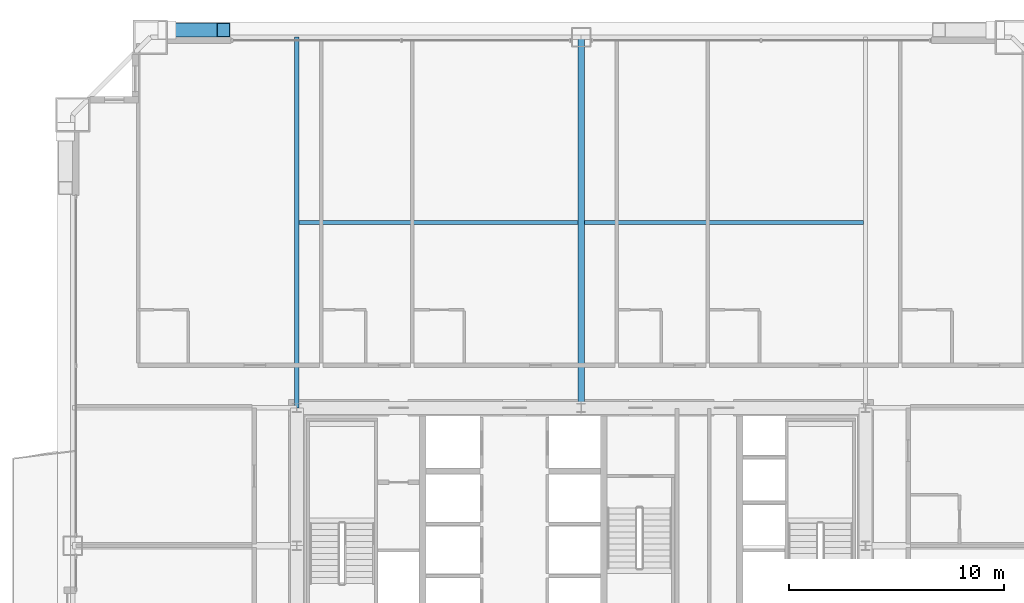
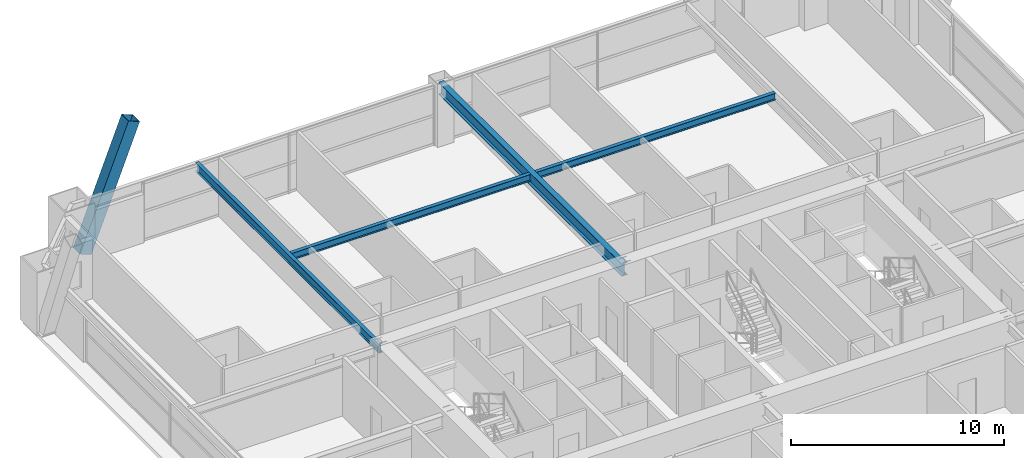
# One storey, part 25 of 42: 4 beams, 1 member.
"""IFC4 building model written with IfcOpenShell, lengths in metres."""

from ifc_helpers import new_model, si_unit, direction, frame, origin, origin_2d, place, context, subcontext, project, spatial, hollow_rectangle, i_section, extrude, source, transform, mapped, material, material_profile, profile_set, type_object, element, save


model = new_model("IFC4")

# Units and contexts
model_context = context("Model", 3, precision=1e-05, world=origin(), true_north=direction((0.0, 1.0)))
body_context = subcontext(model_context, "Body", "Model", "MODEL_VIEW")
ifc_project = project(units=[si_unit("LENGTHUNIT", "METRE"), si_unit("AREAUNIT", "SQUARE_METRE"), si_unit("VOLUMEUNIT", "CUBIC_METRE"), si_unit("PLANEANGLEUNIT", "RADIAN"), si_unit("MASSUNIT", "GRAM", prefix="KILO"), si_unit("THERMODYNAMICTEMPERATUREUNIT", "KELVIN"), si_unit("POWERUNIT", "WATT")], contexts=[model_context])

# Site, building, storey
site_placement = place(None, origin())
site = spatial("IfcSite", under=ifc_project, at=site_placement, CompositionType="ELEMENT")
building_placement = place(site_placement, origin())
building = spatial("IfcBuilding", under=site, at=building_placement, Name="Yuzanri Waterfront Tower", CompositionType="ELEMENT")
storey_placement = place(building_placement, frame((0.0, 0.0, 145.199951171875)))
storey = spatial("IfcBuildingStorey", under=building, at=storey_placement, Name="L38", CompositionType="ELEMENT", Elevation=145.199951171875)

# Beams
ifc_material_1 = material(Name="Steel Q355B", Category="steel")
ifc_material_profile_1 = material_profile(ifc_material_1, i_section(OverallWidth=0.199951171875, OverallDepth=0.39990234375, WebThickness=0.008056640625, FlangeThickness=0.012939453125, at=origin_2d()), Name="HN 400x200x8x13")
ifc_profile_set_1 = profile_set([ifc_material_profile_1], Name="Steel Q355B")
beam_type_1 = type_object("IfcBeamType", Name="Floor Joist Q355B HN 400x200", PredefinedType="JOIST", material=ifc_profile_set_1)
shared_shape_1 = source(origin(), body_context, "Body", "SweptSolid", [
    extrude(i_section(OverallWidth=0.199951171875, OverallDepth=0.39990234375, WebThickness=0.008056640625, FlangeThickness=0.012939453125, at=origin_2d()), origin(), (0.0, 0.0, 1.0), 12.9501953125),
])
for number, where, z_axis, x_axis, name in (
    (1, (23.89990234375, 40.800048828125, 3.179931640625), (1.0, 0.0, 0.0), (0.0, 1.0, 0.0), "L38 North Bay Joist W"),
    (2, (37.14990234375, 40.800048828125, 3.179931640625), (1.0, 0.0, 0.0), (0.0, 1.0, 0.0), "L38 North Bay Joist E"),
):
    element("IfcBeam", number, at=place(storey_placement, frame(where, z_axis=z_axis, x_axis=x_axis)), inside=storey, type_object=beam_type_1, Name=name, PredefinedType="JOIST", context=body_context, shape_type="MappedRepresentation", body=[
        mapped(shared_shape_1, transform((0.0, 0.0, 0.0), scale=1.0)),
    ])
ifc_material_2 = material(Name="Steel Q355B", Category="steel")
ifc_material_profile_2 = material_profile(ifc_material_2, i_section(OverallWidth=0.300048828125, OverallDepth=0.699951171875, WebThickness=0.012939453125, FlangeThickness=0.02392578125, at=origin_2d()), Name="HN 700x300x13x24")
ifc_profile_set_2 = profile_set([ifc_material_profile_2], Name="Steel Q355B")
beam_type_2 = type_object("IfcBeamType", Name="Primary Floor Girder Q355B HN 700x300", PredefinedType="BEAM", material=ifc_profile_set_2)
shared_shape_2 = source(origin(), body_context, "Body", "SweptSolid", [
    extrude(i_section(OverallWidth=0.300048828125, OverallDepth=0.699951171875, WebThickness=0.012939453125, FlangeThickness=0.02392578125, at=origin_2d()), origin(), (0.0, 0.0, 1.0), 17.199951171875),
])
beam_1_placement = place(storey_placement, frame((37.0, 32.199951171875, 3.030029296875), z_axis=(0.0, 1.0, 0.0), x_axis=(-1.0, 0.0, 0.0)))
element("IfcBeam", 3, at=beam_1_placement, inside=storey, type_object=beam_type_2, Name="L38 North Grid Girder", PredefinedType="BEAM", context=body_context, shape_type="MappedRepresentation", body=[
    mapped(shared_shape_2, transform((0.0, 0.0, 0.0), scale=1.0)),
])
ifc_material_3 = material(Name="Steel Q355B", Category="steel")
ifc_material_profile_3 = material_profile(ifc_material_3, i_section(OverallWidth=0.199951171875, OverallDepth=0.5, WebThickness=0.010009765625, FlangeThickness=0.01611328125, at=origin_2d()), Name="HN 500x200x10x16")
ifc_profile_set_3 = profile_set([ifc_material_profile_3], Name="Steel Q355B")
beam_type_3 = type_object("IfcBeamType", Name="Secondary Floor Beam Q355B HN 500x200", PredefinedType="BEAM", material=ifc_profile_set_3)
shared_shape_3 = source(origin(), body_context, "Body", "SweptSolid", [
    extrude(i_section(OverallWidth=0.199951171875, OverallDepth=0.5, WebThickness=0.010009765625, FlangeThickness=0.01611328125, at=origin_2d()), origin(), (0.0, 0.0, 1.0), 17.199951171875),
])
beam_2_placement = place(storey_placement, frame((23.800048828125, 32.199951171875, 3.130126953125), z_axis=(0.0, 1.0, 0.0), x_axis=(-1.0, 0.0, 0.0)))
element("IfcBeam", 4, at=beam_2_placement, inside=storey, type_object=beam_type_3, Name="L38 North-West Core Line Beam", PredefinedType="BEAM", context=body_context, shape_type="MappedRepresentation", body=[
    mapped(shared_shape_3, transform((0.0, 0.0, 0.0), scale=1.0)),
])

# Member
ifc_material_4 = material(Name="Steel Q420GJC", Category="steel")
ifc_material_profile_4 = material_profile(ifc_material_4, hollow_rectangle(XDim=0.64990234375, YDim=0.64990234375, WallThickness=0.028076171875, at=origin_2d()), Name="RHS 650x650x28")
ifc_profile_set_4 = profile_set([ifc_material_profile_4], Name="Steel Q420GJC")
member_type = type_object("IfcMemberType", Name="Mega Brace Lower Q420GJC RHS 650x650x28", PredefinedType="BRACE", material=ifc_profile_set_4)
shared_shape_4 = source(origin(), body_context, "Body", "SweptSolid", [
    extrude(hollow_rectangle(XDim=0.64990234375, YDim=0.64990234375, WallThickness=0.028076171875, at=origin_2d()), origin(), (0.0, 0.0, 1.0), 7.194091796875),
])
member_placement = place(storey_placement, frame((17.780029296875, 49.739990234375, 0.179931640625), z_axis=(0.36416517997, 0.0, 0.931334376955), x_axis=(0.0, 1.0, 0.0)))
element("IfcMember", 5, at=member_placement, inside=storey, type_object=member_type, Name="L38-L39 Perimeter Mega-Brace N-L", PredefinedType="BRACE", context=body_context, shape_type="MappedRepresentation", body=[
    mapped(shared_shape_4, transform((0.0, 0.0, 0.0), scale=1.0)),
])

save(model, "model.ifc")
